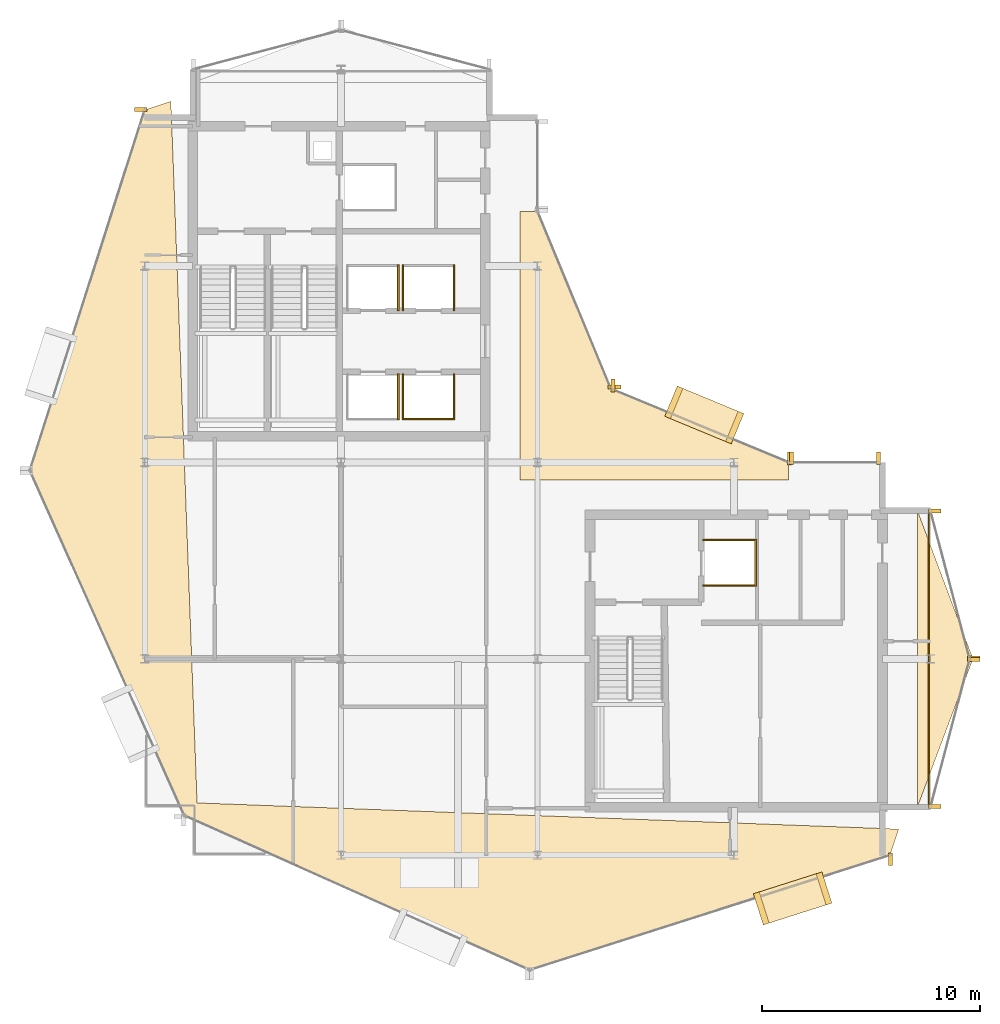
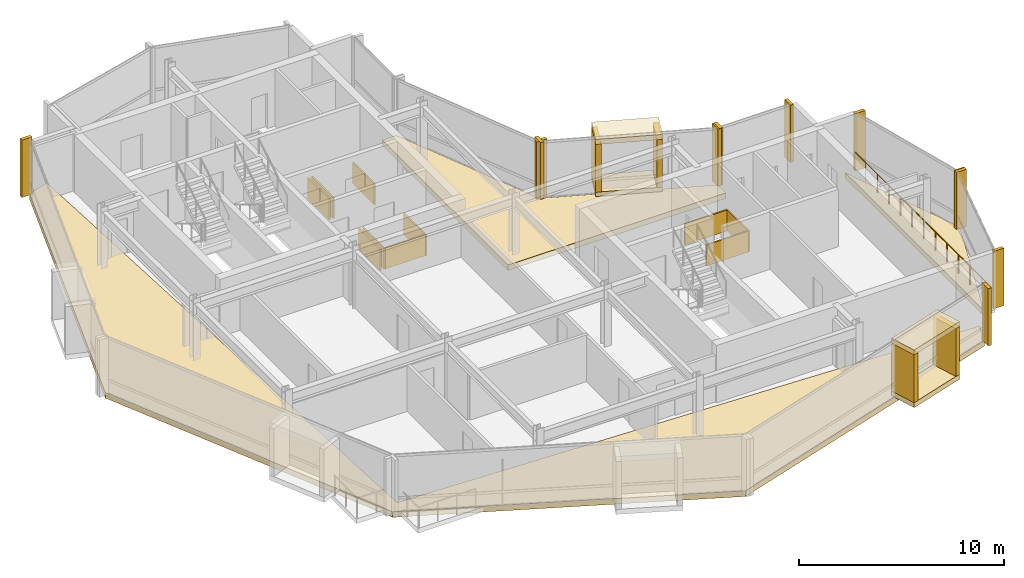
# One storey, part 18 of 19: 32 coverings, 1 railing.
"""IFC4 building model written with IfcOpenShell, lengths in metres."""

from ifc_helpers import new_model, si_unit, direction, frame, origin, origin_2d, place, context, subcontext, project, spatial, polyline, rectangle, circle, outline, extrude, material, layer, layer_set, type_object, element, save


model = new_model("IFC4")

# Units and contexts
model_context = context("Model", 3, precision=1e-05, world=origin(), true_north=direction((0.0, 1.0)))
body_context = subcontext(model_context, "Body", "Model", "MODEL_VIEW")
ifc_project = project(units=[si_unit("LENGTHUNIT", "METRE"), si_unit("AREAUNIT", "SQUARE_METRE"), si_unit("VOLUMEUNIT", "CUBIC_METRE"), si_unit("PLANEANGLEUNIT", "RADIAN"), si_unit("MASSUNIT", "GRAM", prefix="KILO")], contexts=[model_context])

# Site, building, storey
site_placement = place(None, origin())
site = spatial("IfcSite", under=ifc_project, at=site_placement, CompositionType="ELEMENT")
building_placement = place(site_placement, origin())
building = spatial("IfcBuilding", under=site, at=building_placement, Name="Solvaryn Broadcast Tower", CompositionType="ELEMENT")
storey_placement = place(building_placement, frame((0.0, 0.0, 263.0)))
storey = spatial("IfcBuildingStorey", under=building, at=storey_placement, Name="L66", CompositionType="ELEMENT", Elevation=263.0)

# Coverings
ifc_material_1 = material(Name="Fire-Rated Gypsum Shaftwall Liner", Category="concrete")
ifc_layer_1 = layer(ifc_material_1, 0.080078125)
ifc_layer_set_1 = layer_set([ifc_layer_1], Name="CV-SHAFT-LINER")
covering_type_1 = type_object("IfcCoveringType", Name="CV-SHAFT-LINER", PredefinedType="CLADDING", material=ifc_layer_set_1)
covering_1_placement = place(storey_placement, frame((20.614990234375, 30.0, 0.0), z_axis=(0.0, 0.0, 1.0), x_axis=(1.0, 0.0, 0.0)))
element("IfcCovering", 1, at=covering_1_placement, inside=storey, type_object=covering_type_1, Name="L66 PH1 Hoistway Shaft Liner East", PredefinedType="CLADDING", context=body_context, shape_type="SweptSolid", body=[
    extrude(rectangle(XDim=0.080078125, YDim=2.110107421875, at=origin_2d()), origin(), (0.0, 0.0, 1.0), 1.25),
])
covering_2_placement = place(storey_placement, frame((22.0, 28.985107421875, 0.0), z_axis=(0.0, 0.0, 1.0), x_axis=(1.0, 0.0, 0.0)))
element("IfcCovering", 2, at=covering_2_placement, inside=storey, type_object=covering_type_1, Name="L66 PH2 Hoistway Shaft Liner South", PredefinedType="CLADDING", context=body_context, shape_type="SweptSolid", body=[
    extrude(rectangle(XDim=2.409912109375, YDim=0.080078125, at=origin_2d()), origin(), (0.0, 0.0, 1.0), 1.25),
])
for number, where, z_axis, x_axis, name in (
    (3, (23.1650390625, 30.0, 0.0), (0.0, 0.0, 1.0), (1.0, 0.0, 0.0), "L66 PH2 Hoistway Shaft Liner East"),
    (4, (20.8349609375, 30.0, 0.0), (0.0, 0.0, 1.0), (1.0, 0.0, 0.0), "L66 PH2 Hoistway Shaft Liner West"),
    (5, (20.614990234375, 35.0, 0.0), (0.0, 0.0, 1.0), (1.0, 0.0, 0.0), "L66 PH3 Hoistway Shaft Liner East"),
    (6, (23.1650390625, 35.0, 0.0), (0.0, 0.0, 1.0), (1.0, 0.0, 0.0), "L66 PH4 Hoistway Shaft Liner East"),
    (7, (20.8349609375, 35.0, 0.0), (0.0, 0.0, 1.0), (1.0, 0.0, 0.0), "L66 PH4 Hoistway Shaft Liner West"),
):
    element("IfcCovering", number, at=place(storey_placement, frame(where, z_axis=z_axis, x_axis=x_axis)), inside=storey, type_object=covering_type_1, Name=name, PredefinedType="CLADDING", context=body_context, shape_type="SweptSolid", body=[
        extrude(rectangle(XDim=0.080078125, YDim=2.110107421875, at=origin_2d()), origin(), (0.0, 0.0, 1.0), 1.25),
    ])
for number, where, z_axis, x_axis, name in (
    (8, (35.800048828125, 23.43994140625, 0.0), (0.0, 0.0, 1.0), (1.0, 0.0, 0.0), "L66 FL2 Hoistway Shaft Liner North"),
    (9, (35.800048828125, 21.360107421875, 0.0), (0.0, 0.0, 1.0), (1.0, 0.0, 0.0), "L66 FL2 Hoistway Shaft Liner South"),
):
    element("IfcCovering", number, at=place(storey_placement, frame(where, z_axis=z_axis, x_axis=x_axis)), inside=storey, type_object=covering_type_1, Name=name, PredefinedType="CLADDING", context=body_context, shape_type="SweptSolid", body=[
        extrude(rectangle(XDim=2.4599609375, YDim=0.080078125, at=origin_2d()), origin(), (0.0, 0.0, 1.0), 1.25),
    ])
covering_3_placement = place(storey_placement, frame((36.989990234375, 22.39990234375, 0.0), z_axis=(0.0, 0.0, 1.0), x_axis=(1.0, 0.0, 0.0)))
element("IfcCovering", 10, at=covering_3_placement, inside=storey, type_object=covering_type_1, Name="L66 FL2 Hoistway Shaft Liner East", PredefinedType="CLADDING", context=body_context, shape_type="SweptSolid", body=[
    extrude(rectangle(XDim=0.080078125, YDim=2.159912109375, at=origin_2d()), origin(), (0.0, 0.0, 1.0), 1.25),
])
ifc_material_2 = material(Name="Glazed Architectural Terracotta Rainscreen Cladding", Category="masonry")
ifc_layer_2 = layer(ifc_material_2, 0.280029296875)
ifc_layer_set_2 = layer_set([ifc_layer_2], Name="CV-TC-CLAD")
covering_type_2 = type_object("IfcCoveringType", Name="CV-TC-CLAD", PredefinedType="CLADDING", material=ifc_layer_set_2)
for number, where, z_axis, x_axis, name in (
    (11, (38.68603515625, 7.02197265625, 3.1298828125), (0.0, 0.0, 1.0), (0.952820541996, 0.303534206887, 0.0), "L66 Projecting Stone Window Box Hood 4"),
    (12, (38.68603515625, 7.02197265625, -0.01025390625), (0.0, 0.0, 1.0), (0.952820541996, 0.303534206887, 0.0), "L66 Projecting Stone Window Box Sill 4"),
):
    element("IfcCovering", number, at=place(storey_placement, frame(where, z_axis=z_axis, x_axis=x_axis)), inside=storey, type_object=covering_type_2, Name=name, PredefinedType="CLADDING", context=body_context, shape_type="SweptSolid", body=[
        extrude(rectangle(XDim=3.300048828125, YDim=1.5, at=origin_2d()), origin(), (0.0, 0.0, 1.0), 0.300048828125),
    ])
for number, where, z_axis, x_axis, name in (
    (13, (37.247314453125, 6.563720703125, 0.27978515625), (0.0, 0.0, 1.0), (0.952820541996, 0.303534206887, 0.0), "L66 Projecting Stone Window Box Cheek 4-1"),
    (14, (40.124755859375, 7.480224609375, 0.27978515625), (0.0, 0.0, 1.0), (0.952820541996, 0.303534206887, 0.0), "L66 Projecting Stone Window Box Cheek 4-2"),
):
    element("IfcCovering", number, at=place(storey_placement, frame(where, z_axis=z_axis, x_axis=x_axis)), inside=storey, type_object=covering_type_2, Name=name, PredefinedType="CLADDING", context=body_context, shape_type="SweptSolid", body=[
        extrude(rectangle(XDim=0.280029296875, YDim=1.5, at=origin_2d()), origin(), (0.0, 0.0, 1.0), 2.860107421875),
    ])
for number, where, z_axis, x_axis, name in (
    (15, (34.636962890625, 29.174072265625, 3.1298828125), (0.0, 0.0, 1.0), (-0.923879532511, 0.382683432365, 0.0), "L66 Projecting Stone Window Box Hood 5"),
    (16, (34.636962890625, 29.174072265625, -0.01025390625), (0.0, 0.0, 1.0), (-0.923879532511, 0.382683432365, 0.0), "L66 Projecting Stone Window Box Sill 5"),
):
    element("IfcCovering", number, at=place(storey_placement, frame(where, z_axis=z_axis, x_axis=x_axis)), inside=storey, type_object=covering_type_2, Name=name, PredefinedType="CLADDING", context=body_context, shape_type="SweptSolid", body=[
        extrude(rectangle(XDim=3.300048828125, YDim=1.5, at=origin_2d()), origin(), (0.0, 0.0, 1.0), 0.300048828125),
    ])
for number, where, z_axis, x_axis, name in (
    (17, (36.031982421875, 28.59619140625, 0.27978515625), (0.0, 0.0, 1.0), (-0.923879532511, 0.382683432365, 0.0), "L66 Projecting Stone Window Box Cheek 5-1"),
    (18, (33.241943359375, 29.751953125, 0.27978515625), (0.0, 0.0, 1.0), (-0.923879532511, 0.382683432365, 0.0), "L66 Projecting Stone Window Box Cheek 5-2"),
):
    element("IfcCovering", number, at=place(storey_placement, frame(where, z_axis=z_axis, x_axis=x_axis)), inside=storey, type_object=covering_type_2, Name=name, PredefinedType="CLADDING", context=body_context, shape_type="SweptSolid", body=[
        extrude(rectangle(XDim=0.280029296875, YDim=1.5, at=origin_2d()), origin(), (0.0, 0.0, 1.0), 2.860107421875),
    ])
ifc_material_3 = material(Name="Extruded Architectural Terracotta Fin", Category="masonry")
ifc_layer_3 = layer(ifc_material_3, 0.179931640625)
ifc_layer_set_3 = layer_set([ifc_layer_3], Name="CV-TC-FIN")
covering_type_3 = type_object("IfcCoveringType", Name="CV-TC-FIN", PredefinedType="USERDEFINED", material=ifc_layer_set_3)
covering_4_placement = place(storey_placement, frame((8.819091796875, 43.17529296875, 0.0), z_axis=(0.0, 0.0, 1.0), x_axis=(1.0, 0.0, 0.0)))
element("IfcCovering", 19, at=covering_4_placement, inside=storey, type_object=covering_type_3, Name="L66 Terracotta Vertical Fin FIN-L66-DR1-M00", ObjectType="FIN", PredefinedType="USERDEFINED", context=body_context, shape_type="SweptSolid", body=[
    extrude(rectangle(XDim=0.580078125, YDim=0.179931640625, at=origin_2d()), origin(), (0.0, 0.0, 1.0), 3.419921875),
])
for number, where, z_axis, x_axis, name in (
    (20, (43.17529296875, 8.819091796875, 0.0), (0.0, 0.0, 1.0), (1.0, 0.0, 0.0), "L66 Terracotta Vertical Fin FIN-L66-DR4-M01"),
    (21, (38.541259765625, 27.177978515625, 0.0), (0.0, 0.0, 1.0), (1.0, 0.0, 0.0), "L66 Terracotta Vertical Fin FIN-L66-CN1-M00"),
    (22, (30.464599609375, 30.52294921875, 0.0), (0.0, 0.0, 1.0), (1.0, 0.0, 0.0), "L66 Terracotta Vertical Fin FIN-L66-CN1-M01"),
):
    element("IfcCovering", number, at=place(storey_placement, frame(where, z_axis=z_axis, x_axis=x_axis)), inside=storey, type_object=covering_type_3, Name=name, ObjectType="FIN", PredefinedType="USERDEFINED", context=body_context, shape_type="SweptSolid", body=[
        extrude(rectangle(XDim=0.179931640625, YDim=0.580078125, at=origin_2d()), origin(), (0.0, 0.0, 1.0), 3.419921875),
    ])
for number, where, z_axis, x_axis, name in (
    (23, (30.52294921875, 30.464599609375, 0.0), (0.0, 0.0, 1.0), (1.0, 0.0, 0.0), "L66 Terracotta Vertical Fin FIN-L66-CN2-M00"),
    (24, (45.1953125, 24.77099609375, 0.0), (0.0, 0.0, 1.0), (1.0, 0.0, 0.0), "L66 Terracotta Vertical Fin FIN-L66-ET1-M00"),
    (25, (46.979736328125, 18.029052734375, 0.0), (0.0, 0.0, 1.0), (1.0, 0.0, 0.0), "L66 Terracotta Vertical Fin FIN-L66-ET1-M01"),
    (26, (46.979736328125, 17.970947265625, 0.0), (0.0, 0.0, 1.0), (1.0, 0.0, 0.0), "L66 Terracotta Vertical Fin FIN-L66-ET2-M00"),
    (27, (45.1953125, 11.22900390625, 0.0), (0.0, 0.0, 1.0), (1.0, 0.0, 0.0), "L66 Terracotta Vertical Fin FIN-L66-ET2-M01"),
):
    element("IfcCovering", number, at=place(storey_placement, frame(where, z_axis=z_axis, x_axis=x_axis)), inside=storey, type_object=covering_type_3, Name=name, ObjectType="FIN", PredefinedType="USERDEFINED", context=body_context, shape_type="SweptSolid", body=[
        extrude(rectangle(XDim=0.580078125, YDim=0.179931640625, at=origin_2d()), origin(), (0.0, 0.0, 1.0), 3.419921875),
    ])
for number, where, z_axis, x_axis, name in (
    (28, (38.6298828125, 27.1875, 0.0), (0.0, 0.0, 1.0), (1.0, 0.0, 0.0), "L66 Terracotta Vertical Fin FIN-L66-IH-M00"),
    (29, (42.6201171875, 27.1875, 0.0), (0.0, 0.0, 1.0), (1.0, 0.0, 0.0), "L66 Terracotta Vertical Fin FIN-L66-IH-M01"),
):
    element("IfcCovering", number, at=place(storey_placement, frame(where, z_axis=z_axis, x_axis=x_axis)), inside=storey, type_object=covering_type_3, Name=name, ObjectType="FIN", PredefinedType="USERDEFINED", context=body_context, shape_type="SweptSolid", body=[
        extrude(rectangle(XDim=0.179931640625, YDim=0.580078125, at=origin_2d()), origin(), (0.0, 0.0, 1.0), 3.419921875),
    ])
ifc_material_4 = material(Name="Sculpted Architectural Terracotta Wave Fascia", Category="masonry")
ifc_layer_4 = layer(ifc_material_4, 0.340087890625)
ifc_layer_set_4 = layer_set([ifc_layer_4], Name="CV-WAVE-TRAY")
covering_type_4 = type_object("IfcCoveringType", Name="CV-WAVE-TRAY", PredefinedType="CLADDING", material=ifc_layer_set_4)
covering_5_placement = place(storey_placement, frame((0.0, 0.0, -0.300048828125)))
element("IfcCovering", 30, at=covering_5_placement, inside=storey, type_object=covering_type_4, Name="L66 Stepped Cylindrical Drum Floor Apron", PredefinedType="CLADDING", context=body_context, shape_type="SweptSolid", body=[
    extrude(outline(polyline([(10.199951171875, 43.549072265625), (9.0, 43.14892578125), (3.738037109375, 26.635986328125), (10.81689453125, 10.81689453125), (26.635986328125, 3.738037109375), (43.14892578125, 9.0), (43.14892578125, 9.0), (43.549072265625, 10.199951171875), (11.39990234375, 11.39990234375), (10.199951171875, 43.549072265625)])), origin(), (0.0, 0.0, 1.0), 0.330078125),
])
covering_6_placement = place(storey_placement, frame((0.0, 0.0, -0.300048828125)))
element("IfcCovering", 31, at=covering_6_placement, inside=storey, type_object=covering_type_4, Name="L66 Concave Canyon Floor Apron", PredefinedType="CLADDING", context=body_context, shape_type="SweptSolid", body=[
    extrude(outline(polyline([(26.199951171875, 26.199951171875), (38.5, 26.199951171875), (38.5, 27.0), (30.367919921875, 30.367919921875), (27.0, 38.5), (26.199951171875, 38.5), (26.199951171875, 26.199951171875)])), origin(), (0.0, 0.0, 1.0), 0.330078125),
])
covering_7_placement = place(storey_placement, frame((0.0, 0.0, -0.300048828125)))
element("IfcCovering", 32, at=covering_7_placement, inside=storey, type_object=covering_type_4, Name="L66 East Curved Wing Deck", PredefinedType="CLADDING", context=body_context, shape_type="SweptSolid", body=[
    extrude(outline(polyline([(44.39990234375, 11.199951171875), (46.949951171875, 18.0), (44.39990234375, 24.800048828125), (44.39990234375, 11.199951171875)])), origin(), (0.0, 0.0, 1.0), 0.330078125),
])

# Railing
ifc_material_5 = material(Name="Stainless Steel and Laminated Glass Guard", Category="steel")
railing_type = type_object("IfcRailingType", Name="RL-TER-1150", PredefinedType="BALUSTRADE", material=ifc_material_5)
railing_placement = place(storey_placement, frame((44.919921875, 11.199951171875, 0.0)))
element("IfcRailing", 33, at=railing_placement, inside=storey, type_object=railing_type, Name="L66 East Wing Spandrel Edge Guard", PredefinedType="BALUSTRADE", context=body_context, shape_type="SweptSolid", body=[
    extrude(circle(Radius=0.02392578125, at=origin_2d()), frame((0.0, 0.0, 1.1259765625), z_axis=(0.0, 1.0, 0.0), x_axis=(-1.0, 0.0, 0.0)), (0.0, 0.0, 1.0), 13.60009765625),
    extrude(circle(Radius=0.02099609375, at=origin_2d()), origin(), (0.0, 0.0, 1.0), 1.101806640625),
    extrude(circle(Radius=0.02099609375, at=origin_2d()), frame((0.0, 1.13330078125, 0.0)), (0.0, 0.0, 1.0), 1.101806640625),
    extrude(circle(Radius=0.02099609375, at=origin_2d()), frame((0.0, 2.2666015625, 0.0)), (0.0, 0.0, 1.0), 1.101806640625),
    extrude(circle(Radius=0.02099609375, at=origin_2d()), frame((0.0, 3.39990234375, 0.0)), (0.0, 0.0, 1.0), 1.101806640625),
    extrude(circle(Radius=0.02099609375, at=origin_2d()), frame((0.0, 4.533447265625, 0.0)), (0.0, 0.0, 1.0), 1.101806640625),
    extrude(circle(Radius=0.02099609375, at=origin_2d()), frame((0.0, 5.666748046875, 0.0)), (0.0, 0.0, 1.0), 1.101806640625),
    extrude(circle(Radius=0.02099609375, at=origin_2d()), frame((0.0, 6.800048828125, 0.0)), (0.0, 0.0, 1.0), 1.101806640625),
    extrude(circle(Radius=0.02099609375, at=origin_2d()), frame((0.0, 7.933349609375, 0.0)), (0.0, 0.0, 1.0), 1.101806640625),
    extrude(circle(Radius=0.02099609375, at=origin_2d()), frame((0.0, 9.066650390625, 0.0)), (0.0, 0.0, 1.0), 1.101806640625),
    extrude(circle(Radius=0.02099609375, at=origin_2d()), frame((0.0, 10.2001953125, 0.0)), (0.0, 0.0, 1.0), 1.101806640625),
    extrude(circle(Radius=0.02099609375, at=origin_2d()), frame((0.0, 11.33349609375, 0.0)), (0.0, 0.0, 1.0), 1.101806640625),
    extrude(circle(Radius=0.02099609375, at=origin_2d()), frame((0.0, 12.466796875, 0.0)), (0.0, 0.0, 1.0), 1.101806640625),
    extrude(circle(Radius=0.02099609375, at=origin_2d()), frame((0.0, 13.60009765625, 0.0)), (0.0, 0.0, 1.0), 1.101806640625),
])

save(model, "model.ifc")
